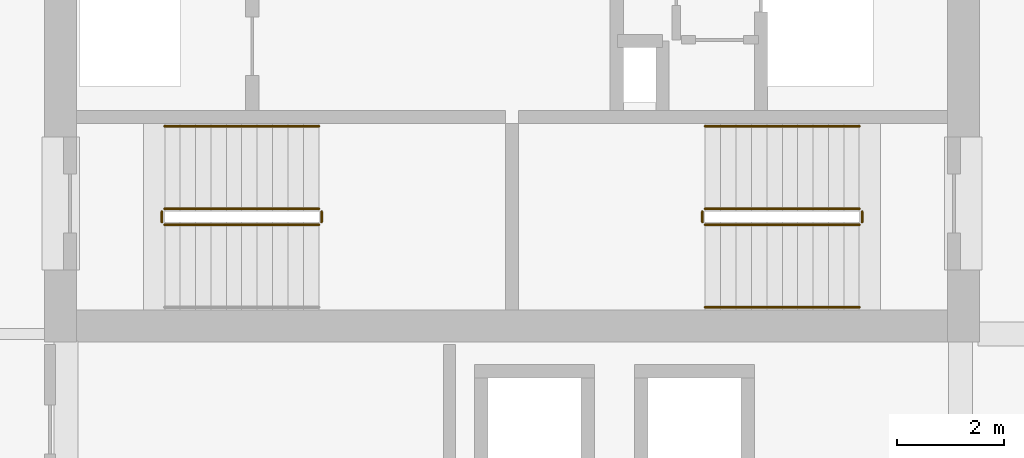
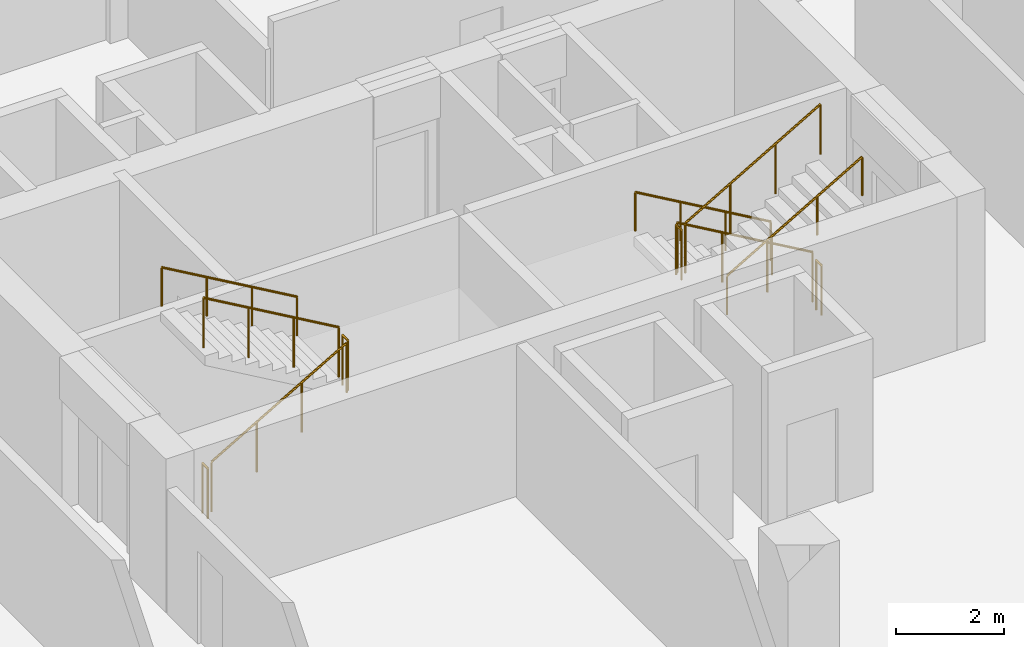
# One storey, part 18 of 20: 11 railings.
"""IFC4 building model written with IfcOpenShell, lengths in metres."""

from ifc_helpers import new_model, si_unit, direction, frame, origin, origin_2d, place, context, subcontext, project, spatial, circle, extrude, material, type_object, element, save


model = new_model("IFC4")

# Units and contexts
model_context = context("Model", 3, precision=1e-05, world=origin(), true_north=direction((0.0, 1.0)))
body_context = subcontext(model_context, "Body", "Model", "MODEL_VIEW")
ifc_project = project(units=[si_unit("LENGTHUNIT", "METRE"), si_unit("AREAUNIT", "SQUARE_METRE"), si_unit("VOLUMEUNIT", "CUBIC_METRE"), si_unit("PLANEANGLEUNIT", "RADIAN"), si_unit("MASSUNIT", "GRAM", prefix="KILO")], contexts=[model_context])

# Site, building, storey
site_placement = place(None, origin())
site = spatial("IfcSite", under=ifc_project, at=site_placement, CompositionType="ELEMENT")
building_placement = place(site_placement, origin())
building = spatial("IfcBuilding", under=site, at=building_placement, Name="Koriwani Terraces Tower", CompositionType="ELEMENT")
storey_placement = place(building_placement, frame((0.0, 0.0, 212.39990234375)))
storey = spatial("IfcBuildingStorey", under=building, at=storey_placement, Name="L52", CompositionType="ELEMENT", Elevation=212.39990234375)

# Railings
ifc_material = material(Name="Steel ASTM A572 Grade 50", Category="steel")
railing_type_1 = type_object("IfcRailingType", Name="GUARD_STAIR_WELL_1120", PredefinedType="GUARDRAIL", material=ifc_material)
railing_1_placement = place(storey_placement, frame((43.85009765625, 18.85009765625, 0.168212890625)))
element("IfcRailing", 1, at=railing_1_placement, inside=storey, type_object=railing_type_1, Name="L52 ST-E1 stair guard 1", PredefinedType="GUARDRAIL", context=body_context, shape_type="SweptSolid", body=[
    extrude(circle(Radius=0.02392578125, at=origin_2d()), frame((0.0, 0.0, 1.1259765625), z_axis=(0.865038774852, 0.0, 0.501705010941), x_axis=(0.0, 1.0, 0.0)), (0.0, 0.0, 1.0), 3.352294921875),
    extrude(circle(Radius=0.02099609375, at=origin_2d()), origin(), (0.0, 0.0, 1.0), 1.101806640625),
    extrude(circle(Radius=0.02099609375, at=origin_2d()), frame((0.966552734375, 0.0, 0.560546875)), (0.0, 0.0, 1.0), 1.101806640625),
    extrude(circle(Radius=0.02099609375, at=origin_2d()), frame((1.933349609375, 0.0, 1.121337890625)), (0.0, 0.0, 1.0), 1.101806640625),
    extrude(circle(Radius=0.02099609375, at=origin_2d()), frame((2.89990234375, 0.0, 1.681884765625)), (0.0, 0.0, 1.0), 1.101806640625),
])
railing_2_placement = place(storey_placement, frame((46.800048828125, 18.89990234375, 1.85009765625)))
element("IfcRailing", 2, at=railing_2_placement, inside=storey, type_object=railing_type_1, Name="L52 ST-E1 stair guard 2", PredefinedType="GUARDRAIL", context=body_context, shape_type="SweptSolid", body=[
    extrude(circle(Radius=0.02392578125, at=origin_2d()), frame((0.0, 0.0, 1.1259765625), z_axis=(0.0, 1.0, 0.0), x_axis=(-1.0, 0.0, 0.0)), (0.0, 0.0, 1.0), 0.2001953125),
    extrude(circle(Radius=0.02099609375, at=origin_2d()), origin(), (0.0, 0.0, 1.0), 1.101806640625),
    extrude(circle(Radius=0.02099609375, at=origin_2d()), frame((0.0, 0.2001953125, 0.0)), (0.0, 0.0, 1.0), 1.101806640625),
])
railing_3_placement = place(storey_placement, frame((46.75, 19.14990234375, 2.018310546875)))
element("IfcRailing", 3, at=railing_3_placement, inside=storey, type_object=railing_type_1, Name="L52 ST-E1 stair guard 3", PredefinedType="GUARDRAIL", context=body_context, shape_type="SweptSolid", body=[
    extrude(circle(Radius=0.02392578125, at=origin_2d()), frame((0.0, 0.0, 1.1259765625), z_axis=(-0.865038774852, 0.0, 0.501705010941), x_axis=(0.0, -1.0, 0.0)), (0.0, 0.0, 1.0), 3.352294921875),
    extrude(circle(Radius=0.02099609375, at=origin_2d()), origin(), (0.0, 0.0, 1.0), 1.101806640625),
    extrude(circle(Radius=0.02099609375, at=origin_2d()), frame((-0.966552734375, 0.0, 0.560546875)), (0.0, 0.0, 1.0), 1.101806640625),
    extrude(circle(Radius=0.02099609375, at=origin_2d()), frame((-1.933349609375, 0.0, 1.121337890625)), (0.0, 0.0, 1.0), 1.101806640625),
    extrude(circle(Radius=0.02099609375, at=origin_2d()), frame((-2.89990234375, 0.0, 1.681884765625)), (0.0, 0.0, 1.0), 1.101806640625),
])
railing_4_placement = place(storey_placement, frame((43.800048828125, 18.89990234375, 0.0)))
element("IfcRailing", 4, at=railing_4_placement, inside=storey, type_object=railing_type_1, Name="L52 ST-E1 stair guard 4", PredefinedType="GUARDRAIL", context=body_context, shape_type="SweptSolid", body=[
    extrude(circle(Radius=0.02392578125, at=origin_2d()), frame((0.0, 0.0, 1.1259765625), z_axis=(0.0, 1.0, 0.0), x_axis=(-1.0, 0.0, 0.0)), (0.0, 0.0, 1.0), 0.2001953125),
    extrude(circle(Radius=0.02099609375, at=origin_2d()), origin(), (0.0, 0.0, 1.0), 1.101806640625),
    extrude(circle(Radius=0.02099609375, at=origin_2d()), frame((0.0, 0.2001953125, 0.0)), (0.0, 0.0, 1.0), 1.101806640625),
])
railing_5_placement = place(storey_placement, frame((56.89990234375, 19.14990234375, 0.168212890625)))
element("IfcRailing", 5, at=railing_5_placement, inside=storey, type_object=railing_type_1, Name="L52 ST-E2 stair guard 1", PredefinedType="GUARDRAIL", context=body_context, shape_type="SweptSolid", body=[
    extrude(circle(Radius=0.02392578125, at=origin_2d()), frame((0.0, 0.0, 1.1259765625), z_axis=(-0.865038774852, 0.0, 0.501705010941), x_axis=(0.0, -1.0, 0.0)), (0.0, 0.0, 1.0), 3.352294921875),
    extrude(circle(Radius=0.02099609375, at=origin_2d()), origin(), (0.0, 0.0, 1.0), 1.101806640625),
    extrude(circle(Radius=0.02099609375, at=origin_2d()), frame((-0.966552734375, 0.0, 0.560546875)), (0.0, 0.0, 1.0), 1.101806640625),
    extrude(circle(Radius=0.02099609375, at=origin_2d()), frame((-1.933349609375, 0.0, 1.121337890625)), (0.0, 0.0, 1.0), 1.101806640625),
    extrude(circle(Radius=0.02099609375, at=origin_2d()), frame((-2.89990234375, 0.0, 1.681884765625)), (0.0, 0.0, 1.0), 1.101806640625),
])
railing_6_placement = place(storey_placement, frame((53.949951171875, 19.10009765625, 1.85009765625)))
element("IfcRailing", 6, at=railing_6_placement, inside=storey, type_object=railing_type_1, Name="L52 ST-E2 stair guard 2", PredefinedType="GUARDRAIL", context=body_context, shape_type="SweptSolid", body=[
    extrude(circle(Radius=0.02392578125, at=origin_2d()), frame((0.0, 0.0, 1.1259765625), z_axis=(0.0, -1.0, 0.0), x_axis=(1.0, 0.0, 0.0)), (0.0, 0.0, 1.0), 0.2001953125),
    extrude(circle(Radius=0.02099609375, at=origin_2d()), origin(), (0.0, 0.0, 1.0), 1.101806640625),
    extrude(circle(Radius=0.02099609375, at=origin_2d()), frame((0.0, -0.2001953125, 0.0)), (0.0, 0.0, 1.0), 1.101806640625),
])
railing_7_placement = place(storey_placement, frame((54.0, 18.85009765625, 2.018310546875)))
element("IfcRailing", 7, at=railing_7_placement, inside=storey, type_object=railing_type_1, Name="L52 ST-E2 stair guard 3", PredefinedType="GUARDRAIL", context=body_context, shape_type="SweptSolid", body=[
    extrude(circle(Radius=0.02392578125, at=origin_2d()), frame((0.0, 0.0, 1.1259765625), z_axis=(0.865038774852, 0.0, 0.501705010941), x_axis=(0.0, 1.0, 0.0)), (0.0, 0.0, 1.0), 3.352294921875),
    extrude(circle(Radius=0.02099609375, at=origin_2d()), origin(), (0.0, 0.0, 1.0), 1.101806640625),
    extrude(circle(Radius=0.02099609375, at=origin_2d()), frame((0.966552734375, 0.0, 0.560546875)), (0.0, 0.0, 1.0), 1.101806640625),
    extrude(circle(Radius=0.02099609375, at=origin_2d()), frame((1.933349609375, 0.0, 1.121337890625)), (0.0, 0.0, 1.0), 1.101806640625),
    extrude(circle(Radius=0.02099609375, at=origin_2d()), frame((2.89990234375, 0.0, 1.681884765625)), (0.0, 0.0, 1.0), 1.101806640625),
])
railing_8_placement = place(storey_placement, frame((56.949951171875, 19.10009765625, 0.0)))
element("IfcRailing", 8, at=railing_8_placement, inside=storey, type_object=railing_type_1, Name="L52 ST-E2 stair guard 4", PredefinedType="GUARDRAIL", context=body_context, shape_type="SweptSolid", body=[
    extrude(circle(Radius=0.02392578125, at=origin_2d()), frame((0.0, 0.0, 1.1259765625), z_axis=(0.0, -1.0, 0.0), x_axis=(1.0, 0.0, 0.0)), (0.0, 0.0, 1.0), 0.2001953125),
    extrude(circle(Radius=0.02099609375, at=origin_2d()), origin(), (0.0, 0.0, 1.0), 1.101806640625),
    extrude(circle(Radius=0.02099609375, at=origin_2d()), frame((0.0, -0.2001953125, 0.0)), (0.0, 0.0, 1.0), 1.101806640625),
])
railing_type_2 = type_object("IfcRailingType", Name="HANDRAIL_STAIR_920", PredefinedType="HANDRAIL", material=ifc_material)
for number, where, name in (
    (9, (46.75, 20.699951171875, 2.018310546875), "L52 ST-E1 stair handrail 2"),
    (10, (56.89990234375, 20.699951171875, 0.168212890625), "L52 ST-E2 stair handrail 1"),
):
    element("IfcRailing", number, at=place(storey_placement, frame(where)), inside=storey, type_object=railing_type_2, Name=name, PredefinedType="HANDRAIL", context=body_context, shape_type="SweptSolid", body=[
        extrude(circle(Radius=0.02392578125, at=origin_2d()), frame((0.0, 0.0, 0.8759765625), z_axis=(-0.865038774852, 0.0, 0.501705010941), x_axis=(0.0, -1.0, 0.0)), (0.0, 0.0, 1.0), 3.352294921875),
        extrude(circle(Radius=0.02099609375, at=origin_2d()), origin(), (0.0, 0.0, 1.0), 0.851806640625),
        extrude(circle(Radius=0.02099609375, at=origin_2d()), frame((-0.966552734375, 0.0, 0.560546875)), (0.0, 0.0, 1.0), 0.851806640625),
        extrude(circle(Radius=0.02099609375, at=origin_2d()), frame((-1.933349609375, 0.0, 1.121337890625)), (0.0, 0.0, 1.0), 0.851806640625),
        extrude(circle(Radius=0.02099609375, at=origin_2d()), frame((-2.89990234375, 0.0, 1.681884765625)), (0.0, 0.0, 1.0), 0.851806640625),
    ])
railing_9_placement = place(storey_placement, frame((54.0, 17.300048828125, 2.018310546875)))
element("IfcRailing", 11, at=railing_9_placement, inside=storey, type_object=railing_type_2, Name="L52 ST-E2 stair handrail 2", PredefinedType="HANDRAIL", context=body_context, shape_type="SweptSolid", body=[
    extrude(circle(Radius=0.02392578125, at=origin_2d()), frame((0.0, 0.0, 0.8759765625), z_axis=(0.865038774852, 0.0, 0.501705010941), x_axis=(0.0, 1.0, 0.0)), (0.0, 0.0, 1.0), 3.352294921875),
    extrude(circle(Radius=0.02099609375, at=origin_2d()), origin(), (0.0, 0.0, 1.0), 0.851806640625),
    extrude(circle(Radius=0.02099609375, at=origin_2d()), frame((0.966552734375, 0.0, 0.560546875)), (0.0, 0.0, 1.0), 0.851806640625),
    extrude(circle(Radius=0.02099609375, at=origin_2d()), frame((1.933349609375, 0.0, 1.121337890625)), (0.0, 0.0, 1.0), 0.851806640625),
    extrude(circle(Radius=0.02099609375, at=origin_2d()), frame((2.89990234375, 0.0, 1.681884765625)), (0.0, 0.0, 1.0), 0.851806640625),
])

save(model, "model.ifc")
